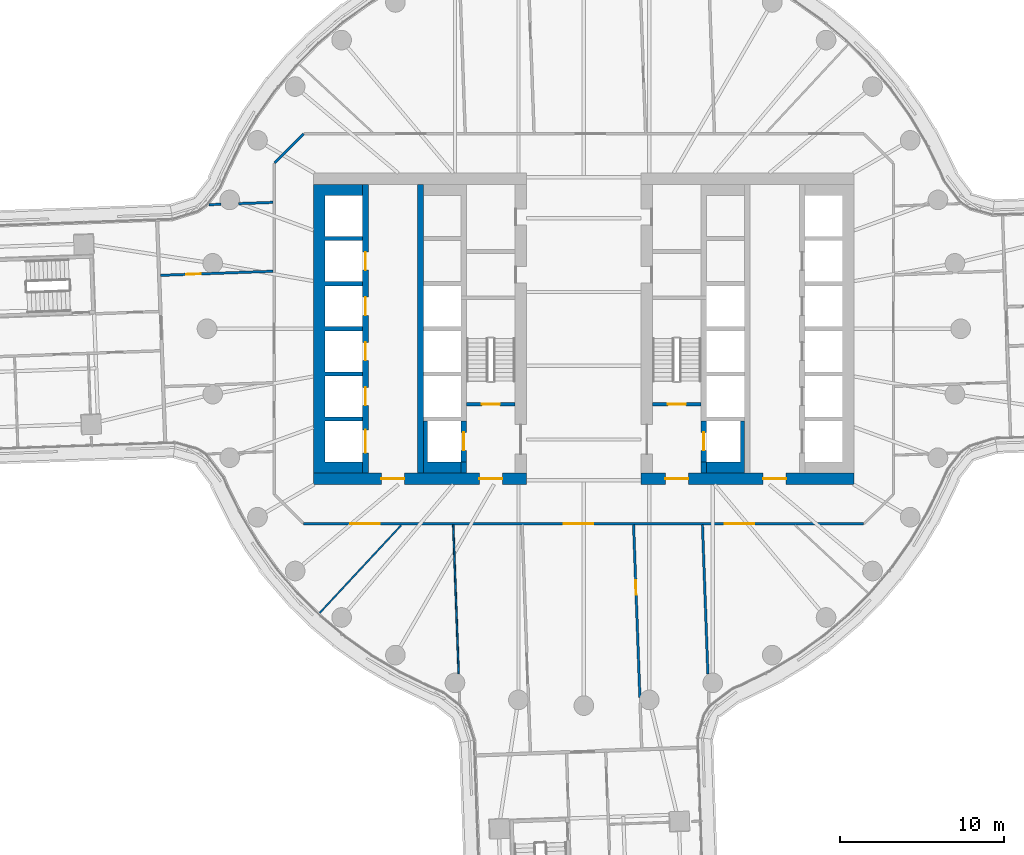
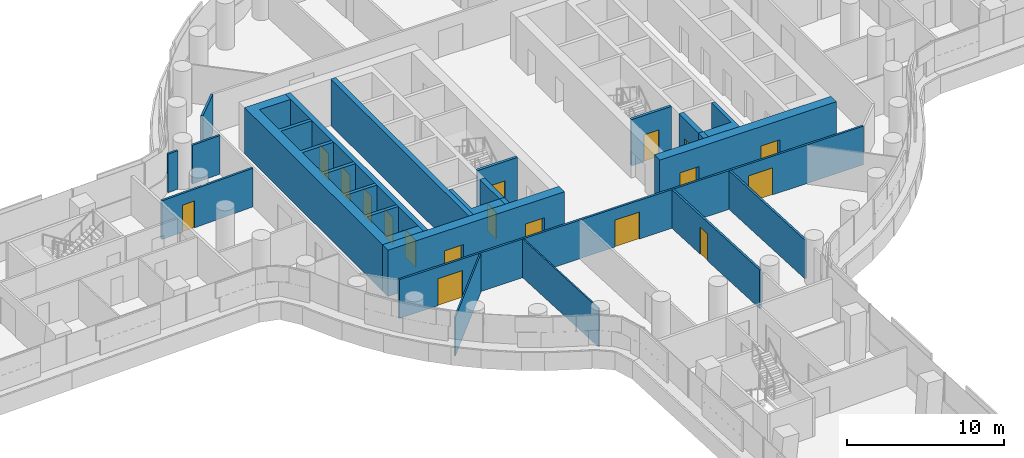
# One storey, part 20 of 31: 22 walls, 18 doors, 18 openings.
"""IFC4 building model written with IfcOpenShell, lengths in metres."""

from ifc_helpers import new_model, si_unit, direction, frame, frame_2d, origin, place, context, subcontext, project, spatial, polyline, rectangle, outline, extrude, material, layer, layer_set, type_object, element, fill, save


model = new_model("IFC4")

# Units and contexts
model_context = context("Model", 3, precision=1e-05, world=origin(), true_north=direction((0.0, 1.0)))
body_context = subcontext(model_context, "Body", "Model", "MODEL_VIEW")
ifc_project = project(units=[si_unit("LENGTHUNIT", "METRE"), si_unit("AREAUNIT", "SQUARE_METRE"), si_unit("VOLUMEUNIT", "CUBIC_METRE"), si_unit("PLANEANGLEUNIT", "RADIAN"), si_unit("MASSUNIT", "GRAM", prefix="KILO")], contexts=[model_context])

# Site, building, storey
site_placement = place(None, origin())
site = spatial("IfcSite", under=ifc_project, at=site_placement, CompositionType="ELEMENT")
building_placement = place(site_placement, origin())
building = spatial("IfcBuilding", under=site, at=building_placement, Name="Tamarind Cross Interchange Tower", CompositionType="ELEMENT")
storey_placement = place(building_placement, frame((0.0, 0.0, 41.5)))
storey = spatial("IfcBuildingStorey", under=building, at=storey_placement, Name="L08", CompositionType="ELEMENT", Elevation=41.5)

# Wall, openings, doors
ifc_material_1 = material(Name="Concrete C80", Category="concrete")
ifc_layer_1 = layer(ifc_material_1, 0.699951171875)
ifc_layer_set_1 = layer_set([ifc_layer_1], Name="Concrete C80")
wall_type_1 = type_object("IfcWallType", Name="Core wall 700 mm Concrete C80", PredefinedType="SHEAR", material=ifc_layer_set_1)
wall_1_placement = place(storey_placement, frame((-16.5, -9.14990234375, 0.0), z_axis=(0.0, 0.0, 1.0), x_axis=(1.0, 0.0, 0.0)))
wall_1 = element("IfcWall", 1, at=wall_1_placement, inside=storey, type_object=wall_type_1, Name="Core wall CWL-L08-W-S", PredefinedType="SHEAR", context=body_context, shape_type="SweptSolid", body=[
    extrude(rectangle(XDim=13.0, YDim=0.699951171875, at=frame_2d((6.5, 0.0))), origin(), (0.0, 0.0, 1.0), 3.610107421875),
])
opening_1_placement = place(wall_1_placement, frame((4.14990234375, 0.0, 0.0)))
opening_1 = element("IfcOpeningElement", 2, at=opening_1_placement, cuts=wall_1, Name="Opening DCW1", PredefinedType="OPENING", context=body_context, shape_type="SweptSolid", body=[
    extrude(rectangle(XDim=1.39990234375, YDim=2.10009765625, at=frame_2d((0.699951171875, 1.050048828125))), frame((0.0, 0.35986328125, 0.0), z_axis=(0.0, -1.0, 0.0), x_axis=(1.0, 0.0, 0.0)), (0.0, 0.0, 1.0), 0.719970703125),
])
opening_2_placement = place(wall_1_placement, frame((10.125, 0.0, 0.0)))
opening_2 = element("IfcOpeningElement", 3, at=opening_2_placement, cuts=wall_1, Name="Opening DCWF", PredefinedType="OPENING", context=body_context, shape_type="SweptSolid", body=[
    extrude(rectangle(XDim=1.39990234375, YDim=2.10009765625, at=frame_2d((0.699951171875, 1.050048828125))), frame((0.0, 0.35986328125, 0.0), z_axis=(0.0, -1.0, 0.0), x_axis=(1.0, 0.0, 0.0)), (0.0, 0.0, 1.0), 0.719970703125),
])
ifc_material_2 = material(Name="Steel, fire-resisting", Category="steel")
door_type_1 = type_object("IfcDoorType", Name="Core fire door 1400 x 2100 FD90", OperationType="SINGLE_SWING_LEFT", PredefinedType="DOOR", material=ifc_material_2)
door_1_placement = place(opening_1_placement, origin())
door_1 = element("IfcDoor", 4, at=door_1_placement, inside=storey, type_object=door_type_1, Name="L08 lift lobby door", OperationType="SINGLE_SWING_LEFT", OverallHeight=2.10009765625, OverallWidth=1.39990234375, PredefinedType="DOOR", context=body_context, shape_type="SweptSolid", body=[
    extrude(rectangle(XDim=1.39990234375, YDim=2.10009765625, at=frame_2d((0.699951171875, 1.050048828125))), frame((0.0, 0.02490234375, 0.0), z_axis=(0.0, -1.0, 0.0), x_axis=(1.0, 0.0, 0.0)), (0.0, 0.0, 1.0), 0.050048828125),
])
fill(opening_1, door_1)
door_2_placement = place(opening_2_placement, origin())
door_2 = element("IfcDoor", 5, at=door_2_placement, inside=storey, type_object=door_type_1, Name="L08 firefighting lobby end door", OperationType="SINGLE_SWING_LEFT", OverallHeight=2.10009765625, OverallWidth=1.39990234375, PredefinedType="DOOR", context=body_context, shape_type="SweptSolid", body=[
    extrude(rectangle(XDim=1.39990234375, YDim=2.10009765625, at=frame_2d((0.699951171875, 1.050048828125))), frame((0.0, 0.02490234375, 0.0), z_axis=(0.0, -1.0, 0.0), x_axis=(1.0, 0.0, 0.0)), (0.0, 0.0, 1.0), 0.050048828125),
])
fill(opening_2, door_2)

# Wall
wall_2_placement = place(storey_placement, origin())
element("IfcWall", 6, at=wall_2_placement, inside=storey, type_object=wall_type_1, Name="Core wall CWL-L08-W-A", PredefinedType="SHEAR", context=body_context, shape_type="SweptSolid", body=[
    extrude(outline(polyline([(-13.5, -8.800048828125), (-13.5, -8.125), (-15.800048828125, -8.125), (-15.800048828125, -5.625), (-13.5, -5.625), (-13.5, -5.375), (-15.800048828125, -5.375), (-15.800048828125, -2.875), (-13.5, -2.875), (-13.5, -2.625), (-15.800048828125, -2.625), (-15.800048828125, -0.125), (-13.5, -0.125), (-13.5, 0.125), (-15.800048828125, 0.125), (-15.800048828125, 2.625), (-13.5, 2.625), (-13.5, 2.875), (-15.800048828125, 2.875), (-15.800048828125, 5.375), (-13.5, 5.375), (-13.5, 5.625), (-15.800048828125, 5.625), (-15.800048828125, 8.125), (-13.5, 8.125), (-13.5, 8.800048828125), (-15.800048828125, 8.800048828125), (-16.5, 8.800048828125), (-16.5, -8.800048828125), (-15.800048828125, -8.800048828125), (-13.5, -8.800048828125)])), origin(), (0.0, 0.0, 1.0), 3.610107421875),
])

# Wall, openings, doors
wall_3_placement = place(storey_placement, frame((16.5, -9.14990234375, 0.0), z_axis=(0.0, 0.0, 1.0), x_axis=(-1.0, 0.0, 0.0)))
wall_3 = element("IfcWall", 7, at=wall_3_placement, inside=storey, type_object=wall_type_1, Name="Core wall CWL-L08-E-S", PredefinedType="SHEAR", context=body_context, shape_type="SweptSolid", body=[
    extrude(rectangle(XDim=13.0, YDim=0.699951171875, at=frame_2d((6.5, 0.0))), origin(), (0.0, 0.0, 1.0), 3.610107421875),
])
opening_3_placement = place(wall_3_placement, frame((4.14990234375, 0.0, 0.0)))
opening_3 = element("IfcOpeningElement", 8, at=opening_3_placement, cuts=wall_3, Name="Opening DCE1", PredefinedType="OPENING", context=body_context, shape_type="SweptSolid", body=[
    extrude(rectangle(XDim=1.39990234375, YDim=2.10009765625, at=frame_2d((0.699951171875, 1.050048828125))), frame((0.0, 0.35986328125, 0.0), z_axis=(0.0, -1.0, 0.0), x_axis=(1.0, 0.0, 0.0)), (0.0, 0.0, 1.0), 0.719970703125),
])
opening_4_placement = place(wall_3_placement, frame((10.125, 0.0, 0.0)))
opening_4 = element("IfcOpeningElement", 9, at=opening_4_placement, cuts=wall_3, Name="Opening DCEF", PredefinedType="OPENING", context=body_context, shape_type="SweptSolid", body=[
    extrude(rectangle(XDim=1.39990234375, YDim=2.10009765625, at=frame_2d((0.699951171875, 1.050048828125))), frame((0.0, 0.35986328125, 0.0), z_axis=(0.0, -1.0, 0.0), x_axis=(1.0, 0.0, 0.0)), (0.0, 0.0, 1.0), 0.719970703125),
])
door_3_placement = place(opening_3_placement, origin())
door_3 = element("IfcDoor", 10, at=door_3_placement, inside=storey, type_object=door_type_1, Name="L08 lift lobby door", OperationType="SINGLE_SWING_LEFT", OverallHeight=2.10009765625, OverallWidth=1.39990234375, PredefinedType="DOOR", context=body_context, shape_type="SweptSolid", body=[
    extrude(rectangle(XDim=1.39990234375, YDim=2.10009765625, at=frame_2d((0.699951171875, 1.050048828125))), frame((0.0, 0.02490234375, 0.0), z_axis=(0.0, -1.0, 0.0), x_axis=(1.0, 0.0, 0.0)), (0.0, 0.0, 1.0), 0.050048828125),
])
fill(opening_3, door_3)
door_4_placement = place(opening_4_placement, origin())
door_4 = element("IfcDoor", 11, at=door_4_placement, inside=storey, type_object=door_type_1, Name="L08 firefighting lobby end door", OperationType="SINGLE_SWING_LEFT", OverallHeight=2.10009765625, OverallWidth=1.39990234375, PredefinedType="DOOR", context=body_context, shape_type="SweptSolid", body=[
    extrude(rectangle(XDim=1.39990234375, YDim=2.10009765625, at=frame_2d((0.699951171875, 1.050048828125))), frame((0.0, 0.02490234375, 0.0), z_axis=(0.0, -1.0, 0.0), x_axis=(1.0, 0.0, 0.0)), (0.0, 0.0, 1.0), 0.050048828125),
])
fill(opening_4, door_4)

# Walls
ifc_layer_2 = layer(ifc_material_1, 0.35009765625)
ifc_layer_set_2 = layer_set([ifc_layer_2], Name="Concrete C80")
wall_type_2 = type_object("IfcWallType", Name="Core web wall 350 mm Concrete C80", PredefinedType="SHEAR", material=ifc_layer_set_2)
wall_4_placement = place(storey_placement, origin())
element("IfcWall", 12, at=wall_4_placement, inside=storey, type_object=wall_type_2, Name="Core wall CWL-L08-W-BS", PredefinedType="SHEAR", context=body_context, shape_type="SweptSolid", body=[
    extrude(outline(polyline([(-7.5, -8.125), (-9.550048828125, -8.125), (-9.550048828125, -5.625), (-9.800048828125, -5.625), (-9.800048828125, -8.125), (-9.800048828125, -8.800048828125), (-7.5, -8.800048828125), (-7.5, -8.125)])), origin(), (0.0, 0.0, 1.0), 3.610107421875),
])
wall_5_placement = place(storey_placement, frame((-7.324951171875, -8.800048828125, 0.0), z_axis=(0.0, 0.0, 1.0), x_axis=(0.0, 1.0, 0.0)))
element("IfcWall", 13, at=wall_5_placement, inside=storey, type_object=wall_type_2, Name="Core wall CWL-L08-W-BW", PredefinedType="SHEAR", context=body_context, shape_type="SweptSolid", body=[
    extrude(rectangle(XDim=0.675048828125, YDim=0.35009765625, at=frame_2d((0.33740234375, 0.0))), origin(), (0.0, 0.0, 1.0), 3.610107421875),
])

# Wall, openings, doors
wall_6_placement = place(storey_placement, frame((-13.324951171875, -8.800048828125, 0.0), z_axis=(0.0, 0.0, 1.0), x_axis=(0.0, 1.0, 0.0)))
wall_6 = element("IfcWall", 14, at=wall_6_placement, inside=storey, type_object=wall_type_2, Name="Core wall CWL-L08-W-LA", PredefinedType="SHEAR", context=body_context, shape_type="SweptSolid", body=[
    extrude(rectangle(XDim=17.60009765625, YDim=0.35009765625, at=frame_2d((8.800048828125, 0.0))), origin(), (0.0, 0.0, 1.0), 3.610107421875),
])
opening_5_placement = place(wall_6_placement, frame((1.22509765625, 0.0, 0.0)))
opening_5 = element("IfcOpeningElement", 15, at=opening_5_placement, cuts=wall_6, Name="Opening LD1L08", PredefinedType="OPENING", context=body_context, shape_type="SweptSolid", body=[
    extrude(rectangle(XDim=1.39990234375, YDim=2.10009765625, at=frame_2d((0.699951171875, 1.050048828125))), frame((0.0, 0.18505859375, 0.0), z_axis=(0.0, -1.0, 0.0), x_axis=(1.0, 0.0, 0.0)), (0.0, 0.0, 1.0), 0.3701171875),
])
opening_6_placement = place(wall_6_placement, frame((4.125, 0.0, 0.0)))
opening_6 = element("IfcOpeningElement", 16, at=opening_6_placement, cuts=wall_6, Name="Opening LD2L08", PredefinedType="OPENING", context=body_context, shape_type="SweptSolid", body=[
    extrude(rectangle(XDim=1.10009765625, YDim=2.10009765625, at=frame_2d((0.550048828125, 1.050048828125))), frame((0.0, 0.18505859375, 0.0), z_axis=(0.0, -1.0, 0.0), x_axis=(1.0, 0.0, 0.0)), (0.0, 0.0, 1.0), 0.3701171875),
])
opening_7_placement = place(wall_6_placement, frame((6.875, 0.0, 0.0)))
opening_7 = element("IfcOpeningElement", 17, at=opening_7_placement, cuts=wall_6, Name="Opening LD3L08", PredefinedType="OPENING", context=body_context, shape_type="SweptSolid", body=[
    extrude(rectangle(XDim=1.10009765625, YDim=2.10009765625, at=frame_2d((0.550048828125, 1.050048828125))), frame((0.0, 0.18505859375, 0.0), z_axis=(0.0, -1.0, 0.0), x_axis=(1.0, 0.0, 0.0)), (0.0, 0.0, 1.0), 0.3701171875),
])
opening_8_placement = place(wall_6_placement, frame((9.625, 0.0, 0.0)))
opening_8 = element("IfcOpeningElement", 18, at=opening_8_placement, cuts=wall_6, Name="Opening LD4L08", PredefinedType="OPENING", context=body_context, shape_type="SweptSolid", body=[
    extrude(rectangle(XDim=1.10009765625, YDim=2.10009765625, at=frame_2d((0.550048828125, 1.050048828125))), frame((0.0, 0.18505859375, 0.0), z_axis=(0.0, -1.0, 0.0), x_axis=(1.0, 0.0, 0.0)), (0.0, 0.0, 1.0), 0.3701171875),
])
opening_9_placement = place(wall_6_placement, frame((12.375, 0.0, 0.0)))
opening_9 = element("IfcOpeningElement", 19, at=opening_9_placement, cuts=wall_6, Name="Opening LD5L08", PredefinedType="OPENING", context=body_context, shape_type="SweptSolid", body=[
    extrude(rectangle(XDim=1.10009765625, YDim=2.10009765625, at=frame_2d((0.550048828125, 1.050048828125))), frame((0.0, 0.18505859375, 0.0), z_axis=(0.0, -1.0, 0.0), x_axis=(1.0, 0.0, 0.0)), (0.0, 0.0, 1.0), 0.3701171875),
])
ifc_material_3 = material(Name="Stainless steel panel", Category="steel")
door_type_2 = type_object("IfcDoorType", Name="Lift landing door 1100 x 2100 E 120", OperationType="SLIDING_TO_LEFT", PredefinedType="DOOR", material=ifc_material_3)
door_5_placement = place(opening_6_placement, origin())
door_5 = element("IfcDoor", 20, at=door_5_placement, inside=storey, type_object=door_type_2, Name="L08 landing door LF2", OperationType="SLIDING_TO_LEFT", OverallHeight=2.10009765625, OverallWidth=1.10009765625, PredefinedType="DOOR", context=body_context, shape_type="SweptSolid", body=[
    extrude(rectangle(XDim=1.10009765625, YDim=2.10009765625, at=frame_2d((0.550048828125, 1.050048828125))), frame((0.0, 0.02490234375, 0.0), z_axis=(0.0, -1.0, 0.0), x_axis=(1.0, 0.0, 0.0)), (0.0, 0.0, 1.0), 0.050048828125),
])
fill(opening_6, door_5)
door_6_placement = place(opening_7_placement, origin())
door_6 = element("IfcDoor", 21, at=door_6_placement, inside=storey, type_object=door_type_2, Name="L08 landing door LF3", OperationType="SLIDING_TO_LEFT", OverallHeight=2.10009765625, OverallWidth=1.10009765625, PredefinedType="DOOR", context=body_context, shape_type="SweptSolid", body=[
    extrude(rectangle(XDim=1.10009765625, YDim=2.10009765625, at=frame_2d((0.550048828125, 1.050048828125))), frame((0.0, 0.02490234375, 0.0), z_axis=(0.0, -1.0, 0.0), x_axis=(1.0, 0.0, 0.0)), (0.0, 0.0, 1.0), 0.050048828125),
])
fill(opening_7, door_6)
door_7_placement = place(opening_8_placement, origin())
door_7 = element("IfcDoor", 22, at=door_7_placement, inside=storey, type_object=door_type_2, Name="L08 landing door LF4", OperationType="SLIDING_TO_LEFT", OverallHeight=2.10009765625, OverallWidth=1.10009765625, PredefinedType="DOOR", context=body_context, shape_type="SweptSolid", body=[
    extrude(rectangle(XDim=1.10009765625, YDim=2.10009765625, at=frame_2d((0.550048828125, 1.050048828125))), frame((0.0, 0.02490234375, 0.0), z_axis=(0.0, -1.0, 0.0), x_axis=(1.0, 0.0, 0.0)), (0.0, 0.0, 1.0), 0.050048828125),
])
fill(opening_8, door_7)
door_8_placement = place(opening_9_placement, origin())
door_8 = element("IfcDoor", 23, at=door_8_placement, inside=storey, type_object=door_type_2, Name="L08 landing door LF5", OperationType="SLIDING_TO_LEFT", OverallHeight=2.10009765625, OverallWidth=1.10009765625, PredefinedType="DOOR", context=body_context, shape_type="SweptSolid", body=[
    extrude(rectangle(XDim=1.10009765625, YDim=2.10009765625, at=frame_2d((0.550048828125, 1.050048828125))), frame((0.0, 0.02490234375, 0.0), z_axis=(0.0, -1.0, 0.0), x_axis=(1.0, 0.0, 0.0)), (0.0, 0.0, 1.0), 0.050048828125),
])
fill(opening_9, door_8)
door_type_3 = type_object("IfcDoorType", Name="Lift landing door 1400 x 2100 E 120", OperationType="SLIDING_TO_LEFT", PredefinedType="DOOR", material=ifc_material_3)
door_9_placement = place(opening_5_placement, origin())
door_9 = element("IfcDoor", 24, at=door_9_placement, inside=storey, type_object=door_type_3, Name="L08 landing door LF1", OperationType="SLIDING_TO_LEFT", OverallHeight=2.10009765625, OverallWidth=1.39990234375, PredefinedType="DOOR", context=body_context, shape_type="SweptSolid", body=[
    extrude(rectangle(XDim=1.39990234375, YDim=2.10009765625, at=frame_2d((0.699951171875, 1.050048828125))), frame((0.0, 0.02490234375, 0.0), z_axis=(0.0, -1.0, 0.0), x_axis=(1.0, 0.0, 0.0)), (0.0, 0.0, 1.0), 0.050048828125),
])
fill(opening_5, door_9)

# Wall
wall_7_placement = place(storey_placement, frame((-9.97509765625, -8.800048828125, 0.0), z_axis=(0.0, 0.0, 1.0), x_axis=(0.0, 1.0, 0.0)))
element("IfcWall", 25, at=wall_7_placement, inside=storey, type_object=wall_type_2, Name="Core wall CWL-L08-W-LB", PredefinedType="SHEAR", context=body_context, shape_type="SweptSolid", body=[
    extrude(rectangle(XDim=17.60009765625, YDim=0.35009765625, at=frame_2d((8.800048828125, 0.0))), origin(), (0.0, 0.0, 1.0), 3.610107421875),
])

# Wall, opening, door
wall_8_placement = place(storey_placement, frame((-7.324951171875, -8.125, 0.0), z_axis=(0.0, 0.0, 1.0), x_axis=(0.0, 1.0, 0.0)))
wall_8 = element("IfcWall", 26, at=wall_8_placement, inside=storey, type_object=wall_type_2, Name="Core wall CWL-L08-W-FF", PredefinedType="SHEAR", context=body_context, shape_type="SweptSolid", body=[
    extrude(rectangle(XDim=2.5, YDim=0.35009765625, at=frame_2d((1.25, 0.0))), origin(), (0.0, 0.0, 1.0), 3.610107421875),
])
opening_10_placement = place(wall_8_placement, frame((0.699951171875, 0.0, 0.0)))
opening_10 = element("IfcOpeningElement", 27, at=opening_10_placement, cuts=wall_8, Name="Opening LD7L08", PredefinedType="OPENING", context=body_context, shape_type="SweptSolid", body=[
    extrude(rectangle(XDim=1.10009765625, YDim=2.10009765625, at=frame_2d((0.550048828125, 1.050048828125))), frame((0.0, 0.18505859375, 0.0), z_axis=(0.0, -1.0, 0.0), x_axis=(1.0, 0.0, 0.0)), (0.0, 0.0, 1.0), 0.3701171875),
])
door_10_placement = place(opening_10_placement, origin())
door_10 = element("IfcDoor", 28, at=door_10_placement, inside=storey, type_object=door_type_2, Name="L08 landing door LF7", OperationType="SLIDING_TO_LEFT", OverallHeight=2.10009765625, OverallWidth=1.10009765625, PredefinedType="DOOR", context=body_context, shape_type="SweptSolid", body=[
    extrude(rectangle(XDim=1.10009765625, YDim=2.10009765625, at=frame_2d((0.550048828125, 1.050048828125))), frame((0.0, 0.02490234375, 0.0), z_axis=(0.0, -1.0, 0.0), x_axis=(1.0, 0.0, 0.0)), (0.0, 0.0, 1.0), 0.050048828125),
])
fill(opening_10, door_10)

# Walls
wall_9_placement = place(storey_placement, origin())
element("IfcWall", 29, at=wall_9_placement, inside=storey, type_object=wall_type_2, Name="Core wall CWL-L08-E-BS", PredefinedType="SHEAR", context=body_context, shape_type="SweptSolid", body=[
    extrude(outline(polyline([(7.5, -8.125), (7.5, -8.800048828125), (9.800048828125, -8.800048828125), (9.800048828125, -8.125), (9.800048828125, -5.625), (9.550048828125, -5.625), (9.550048828125, -8.125), (7.5, -8.125)])), origin(), (0.0, 0.0, 1.0), 3.610107421875),
])
wall_10_placement = place(storey_placement, frame((7.324951171875, -8.800048828125, 0.0), z_axis=(0.0, 0.0, 1.0), x_axis=(0.0, 1.0, 0.0)))
element("IfcWall", 30, at=wall_10_placement, inside=storey, type_object=wall_type_2, Name="Core wall CWL-L08-E-BW", PredefinedType="SHEAR", context=body_context, shape_type="SweptSolid", body=[
    extrude(rectangle(XDim=0.675048828125, YDim=0.35009765625, at=frame_2d((0.33740234375, 0.0))), origin(), (0.0, 0.0, 1.0), 3.610107421875),
])

# Wall, opening, door
wall_11_placement = place(storey_placement, frame((7.324951171875, -8.125, 0.0), z_axis=(0.0, 0.0, 1.0), x_axis=(0.0, 1.0, 0.0)))
wall_11 = element("IfcWall", 31, at=wall_11_placement, inside=storey, type_object=wall_type_2, Name="Core wall CWL-L08-E-FF", PredefinedType="SHEAR", context=body_context, shape_type="SweptSolid", body=[
    extrude(rectangle(XDim=2.5, YDim=0.35009765625, at=frame_2d((1.25, 0.0))), origin(), (0.0, 0.0, 1.0), 3.610107421875),
])
opening_11_placement = place(wall_11_placement, frame((0.699951171875, 0.0, 0.0)))
opening_11 = element("IfcOpeningElement", 32, at=opening_11_placement, cuts=wall_11, Name="Opening LD19L08", PredefinedType="OPENING", context=body_context, shape_type="SweptSolid", body=[
    extrude(rectangle(XDim=1.10009765625, YDim=2.10009765625, at=frame_2d((0.550048828125, 1.050048828125))), frame((0.0, 0.18505859375, 0.0), z_axis=(0.0, -1.0, 0.0), x_axis=(1.0, 0.0, 0.0)), (0.0, 0.0, 1.0), 0.3701171875),
])
door_11_placement = place(opening_11_placement, origin())
door_11 = element("IfcDoor", 33, at=door_11_placement, inside=storey, type_object=door_type_2, Name="L08 landing door LF19", OperationType="SLIDING_TO_LEFT", OverallHeight=2.10009765625, OverallWidth=1.10009765625, PredefinedType="DOOR", context=body_context, shape_type="SweptSolid", body=[
    extrude(rectangle(XDim=1.10009765625, YDim=2.10009765625, at=frame_2d((0.550048828125, 1.050048828125))), frame((0.0, 0.02490234375, 0.0), z_axis=(0.0, -1.0, 0.0), x_axis=(1.0, 0.0, 0.0)), (0.0, 0.0, 1.0), 0.050048828125),
])
fill(opening_11, door_11)

# Walls
ifc_material_4 = material(Name="Gypsum board partition on steel studs", Category="steel")
ifc_layer_3 = layer(ifc_material_4, 0.10009765625)
ifc_layer_set_3 = layer_set([ifc_layer_3], Name="Gypsum board partition on steel studs")
wall_type_3 = type_object("IfcWallType", Name="Partition 100 mm EI 90", PredefinedType="PARTITIONING", material=ifc_layer_set_3)
wall_12_placement = place(storey_placement, frame((-7.9716796875, -11.9599609375, 0.0), z_axis=(0.0, 0.0, 1.0), x_axis=(0.036474412647, -0.999334587224, 0.0)))
element("IfcWall", 34, at=wall_12_placement, inside=storey, type_object=wall_type_3, Name="Partition L08-010", PredefinedType="PARTITIONING", context=body_context, shape_type="SweptSolid", body=[
    extrude(rectangle(XDim=9.10986328125, YDim=0.10009765625, at=frame_2d((4.554931640625, 0.0))), origin(), (0.0, 0.0, 1.0), 3.010009765625),
])
wall_13_placement = place(storey_placement, frame((-16.12744140625, -17.348388671875, 0.0), z_axis=(0.0, 0.0, 1.0), x_axis=(0.680886270417, 0.732389163463, 0.0)))
element("IfcWall", 35, at=wall_13_placement, inside=storey, type_object=wall_type_3, Name="Partition L08-075", PredefinedType="PARTITIONING", context=body_context, shape_type="SweptSolid", body=[
    extrude(rectangle(XDim=7.314208984375, YDim=0.10009765625, at=frame_2d((3.6572265625, 0.0))), origin(), (0.0, 0.0, 1.0), 3.010009765625),
])

# Wall, opening, door
ifc_layer_4 = layer(ifc_material_4, 0.14990234375)
ifc_layer_set_4 = layer_set([ifc_layer_4], Name="Gypsum board partition on steel studs")
wall_type_4 = type_object("IfcWallType", Name="Partition 150 mm EI 120", PredefinedType="PARTITIONING", material=ifc_layer_set_4)
wall_14_placement = place(storey_placement, frame((3.0361328125, -11.9599609375, 0.0), z_axis=(0.0, 0.0, 1.0), x_axis=(0.036436171383, -0.999335982248, 0.0)))
wall_14 = element("IfcWall", 36, at=wall_14_placement, inside=storey, type_object=wall_type_4, Name="Partition L08-021", PredefinedType="PARTITIONING", context=body_context, shape_type="SweptSolid", body=[
    extrude(rectangle(XDim=10.56005859375, YDim=0.14990234375, at=frame_2d((5.280029296875, 0.0))), origin(), (0.0, 0.0, 1.0), 3.010009765625),
])
opening_12_placement = place(wall_14_placement, frame((3.389892578125, 0.0, 0.0)))
opening_12 = element("IfcOpeningElement", 37, at=opening_12_placement, cuts=wall_14, Name="Opening D12", PredefinedType="OPENING", context=body_context, shape_type="SweptSolid", body=[
    extrude(rectangle(XDim=0.89990234375, YDim=2.10009765625, at=frame_2d((0.449951171875, 1.050048828125))), frame((0.0, 0.0849609375, 0.0), z_axis=(0.0, -1.0, 0.0), x_axis=(1.0, 0.0, 0.0)), (0.0, 0.0, 1.0), 0.169921875),
])
ifc_material_5 = material(Name="Fire-resisting door set")
door_type_4 = type_object("IfcDoorType", Name="Interior door 900 x 2100 FD60S", OperationType="SINGLE_SWING_LEFT", PredefinedType="DOOR", material=ifc_material_5)
door_12_placement = place(opening_12_placement, origin())
door_12 = element("IfcDoor", 38, at=door_12_placement, inside=storey, type_object=door_type_4, Name="Door D12", OperationType="SINGLE_SWING_RIGHT", OverallHeight=2.10009765625, OverallWidth=0.89990234375, PredefinedType="DOOR", context=body_context, shape_type="SweptSolid", body=[
    extrude(rectangle(XDim=0.89990234375, YDim=2.10009765625, at=frame_2d((0.449951171875, 1.050048828125))), frame((0.0, 0.02490234375, 0.0), z_axis=(0.0, -1.0, 0.0), x_axis=(1.0, 0.0, 0.0)), (0.0, 0.0, 1.0), 0.050048828125),
])
fill(opening_12, door_12)

# Wall
wall_15_placement = place(storey_placement, frame((7.2392578125, -11.9599609375, 0.0), z_axis=(0.0, 0.0, 1.0), x_axis=(0.036428979603, -0.999336244437, 0.0)))
element("IfcWall", 39, at=wall_15_placement, inside=storey, type_object=wall_type_4, Name="Partition L08-026", PredefinedType="PARTITIONING", context=body_context, shape_type="SweptSolid", body=[
    extrude(rectangle(XDim=9.1279296875, YDim=0.14990234375, at=frame_2d((4.56396484375, 0.0))), origin(), (0.0, 0.0, 1.0), 3.010009765625),
])

# Wall, openings, doors
wall_16_placement = place(storey_placement, frame((-17.10009765625, -11.89990234375, 0.0), z_axis=(0.0, 0.0, 1.0), x_axis=(1.0, 0.0, 0.0)))
wall_16 = element("IfcWall", 40, at=wall_16_placement, inside=storey, type_object=wall_type_4, Name="Partition L08-040", PredefinedType="PARTITIONING", context=body_context, shape_type="SweptSolid", body=[
    extrude(rectangle(XDim=34.1650390625, YDim=0.14990234375, at=frame_2d((17.08251953125, 0.0))), origin(), (0.0, 0.0, 1.0), 3.010009765625),
])
opening_13_placement = place(wall_16_placement, frame((15.87890625, 0.0, 0.0)))
opening_13 = element("IfcOpeningElement", 41, at=opening_13_placement, cuts=wall_16, Name="Opening D16", PredefinedType="OPENING", context=body_context, shape_type="SweptSolid", body=[
    extrude(rectangle(XDim=1.800048828125, YDim=2.10009765625, at=frame_2d((0.89990234375, 1.050048828125))), frame((0.0, 0.0849609375, 0.0), z_axis=(0.0, -1.0, 0.0), x_axis=(1.0, 0.0, 0.0)), (0.0, 0.0, 1.0), 0.169921875),
])
opening_14_placement = place(wall_16_placement, frame((2.85009765625, 0.0, 0.0)))
opening_14 = element("IfcOpeningElement", 42, at=opening_14_placement, cuts=wall_16, Name="Opening D17", PredefinedType="OPENING", context=body_context, shape_type="SweptSolid", body=[
    extrude(rectangle(XDim=1.800048828125, YDim=2.10009765625, at=frame_2d((0.89990234375, 1.050048828125))), frame((0.0, 0.0849609375, 0.0), z_axis=(0.0, -1.0, 0.0), x_axis=(1.0, 0.0, 0.0)), (0.0, 0.0, 1.0), 0.169921875),
])
opening_15_placement = place(wall_16_placement, frame((25.68701171875, 0.0, 0.0)))
opening_15 = element("IfcOpeningElement", 43, at=opening_15_placement, cuts=wall_16, Name="Opening D18", PredefinedType="OPENING", context=body_context, shape_type="SweptSolid", body=[
    extrude(rectangle(XDim=1.800048828125, YDim=2.10009765625, at=frame_2d((0.89990234375, 1.050048828125))), frame((0.0, 0.0849609375, 0.0), z_axis=(0.0, -1.0, 0.0), x_axis=(1.0, 0.0, 0.0)), (0.0, 0.0, 1.0), 0.169921875),
])
door_type_5 = type_object("IfcDoorType", Name="Interior door 1800 x 2100 FD60S", OperationType="DOUBLE_DOOR_SINGLE_SWING", PredefinedType="DOOR", material=ifc_material_5)
door_13_placement = place(opening_13_placement, origin())
door_13 = element("IfcDoor", 44, at=door_13_placement, inside=storey, type_object=door_type_5, Name="Door D16", OperationType="DOUBLE_DOOR_SINGLE_SWING", OverallHeight=2.10009765625, OverallWidth=1.800048828125, PredefinedType="DOOR", context=body_context, shape_type="SweptSolid", body=[
    extrude(rectangle(XDim=1.800048828125, YDim=2.10009765625, at=frame_2d((0.89990234375, 1.050048828125))), frame((0.0, 0.02490234375, 0.0), z_axis=(0.0, -1.0, 0.0), x_axis=(1.0, 0.0, 0.0)), (0.0, 0.0, 1.0), 0.050048828125),
])
fill(opening_13, door_13)
door_14_placement = place(opening_14_placement, frame((1.800048828125, 0.0, 0.0), z_axis=(0.0, 0.0, 1.0), x_axis=(-1.0, 0.0, 0.0)))
door_14 = element("IfcDoor", 45, at=door_14_placement, inside=storey, type_object=door_type_5, Name="Door D17", OperationType="DOUBLE_DOOR_SINGLE_SWING", OverallHeight=2.10009765625, OverallWidth=1.800048828125, PredefinedType="DOOR", context=body_context, shape_type="SweptSolid", body=[
    extrude(rectangle(XDim=1.800048828125, YDim=2.10009765625, at=frame_2d((0.89990234375, 1.050048828125))), frame((0.0, 0.02490234375, 0.0), z_axis=(0.0, -1.0, 0.0), x_axis=(1.0, 0.0, 0.0)), (0.0, 0.0, 1.0), 0.050048828125),
])
fill(opening_14, door_14)
door_15_placement = place(opening_15_placement, frame((1.800048828125, 0.0, 0.0), z_axis=(0.0, 0.0, 1.0), x_axis=(-1.0, 0.0, 0.0)))
door_15 = element("IfcDoor", 46, at=door_15_placement, inside=storey, type_object=door_type_5, Name="Door D18", OperationType="DOUBLE_DOOR_SINGLE_SWING", OverallHeight=2.10009765625, OverallWidth=1.800048828125, PredefinedType="DOOR", context=body_context, shape_type="SweptSolid", body=[
    extrude(rectangle(XDim=1.800048828125, YDim=2.10009765625, at=frame_2d((0.89990234375, 1.050048828125))), frame((0.0, 0.02490234375, 0.0), z_axis=(0.0, -1.0, 0.0), x_axis=(1.0, 0.0, 0.0)), (0.0, 0.0, 1.0), 0.050048828125),
])
fill(opening_15, door_15)

# Wall, opening, door
wall_17_placement = place(storey_placement, frame((-25.8310546875, 3.26220703125, 0.0), z_axis=(0.0, 0.0, 1.0), x_axis=(0.999336164515, 0.036431172001, 0.0)))
wall_17 = element("IfcWall", 47, at=wall_17_placement, inside=storey, type_object=wall_type_4, Name="Partition L08-045", PredefinedType="PARTITIONING", context=body_context, shape_type="SweptSolid", body=[
    extrude(rectangle(XDim=6.875732421875, YDim=0.14990234375, at=frame_2d((3.43798828125, 0.0))), origin(), (0.0, 0.0, 1.0), 3.010009765625),
])
opening_16_placement = place(wall_17_placement, frame((1.56005859375, 0.0, 0.0)))
opening_16 = element("IfcOpeningElement", 48, at=opening_16_placement, cuts=wall_17, Name="Opening D26", PredefinedType="OPENING", context=body_context, shape_type="SweptSolid", body=[
    extrude(rectangle(XDim=0.89990234375, YDim=2.10009765625, at=frame_2d((0.449951171875, 1.050048828125))), frame((0.0, 0.0849609375, 0.0), z_axis=(0.0, -1.0, 0.0), x_axis=(1.0, 0.0, 0.0)), (0.0, 0.0, 1.0), 0.169921875),
])
door_16_placement = place(opening_16_placement, origin())
door_16 = element("IfcDoor", 49, at=door_16_placement, inside=storey, type_object=door_type_4, Name="Door D26", OperationType="SINGLE_SWING_RIGHT", OverallHeight=2.10009765625, OverallWidth=0.89990234375, PredefinedType="DOOR", context=body_context, shape_type="SweptSolid", body=[
    extrude(rectangle(XDim=0.89990234375, YDim=2.10009765625, at=frame_2d((0.449951171875, 1.050048828125))), frame((0.0, 0.02490234375, 0.0), z_axis=(0.0, -1.0, 0.0), x_axis=(1.0, 0.0, 0.0)), (0.0, 0.0, 1.0), 0.050048828125),
])
fill(opening_16, door_16)

# Walls
wall_18_placement = place(storey_placement, frame((-22.8837890625, 7.572998046875, 0.0), z_axis=(0.0, 0.0, 1.0), x_axis=(0.999340597236, 0.036309375033, 0.0)))
element("IfcWall", 50, at=wall_18_placement, inside=storey, type_object=wall_type_4, Name="Partition L08-050", PredefinedType="PARTITIONING", context=body_context, shape_type="SweptSolid", body=[
    extrude(rectangle(XDim=0.73291015625, YDim=0.14990234375, at=frame_2d((0.366455078125, 0.0))), origin(), (0.0, 0.0, 1.0), 3.010009765625),
])
wall_19_placement = place(storey_placement, frame((-21.063720703125, 7.639404296875, 0.0), z_axis=(0.0, 0.0, 1.0), x_axis=(0.999340952075, 0.03629960752, 0.0)))
element("IfcWall", 51, at=wall_19_placement, inside=storey, type_object=wall_type_4, Name="Partition L08-051", PredefinedType="PARTITIONING", context=body_context, shape_type="SweptSolid", body=[
    extrude(rectangle(XDim=2.105224609375, YDim=0.14990234375, at=frame_2d((1.052734375, 0.0))), origin(), (0.0, 0.0, 1.0), 3.010009765625),
])
wall_20_placement = place(storey_placement, frame((-18.87158203125, 10.12841796875, 0.0), z_axis=(0.0, 0.0, 1.0), x_axis=(0.707106781187, 0.707106781187, 0.0)))
element("IfcWall", 52, at=wall_20_placement, inside=storey, type_object=wall_type_4, Name="Partition L08-073", PredefinedType="PARTITIONING", context=body_context, shape_type="SweptSolid", body=[
    extrude(rectangle(XDim=2.50537109375, YDim=0.14990234375, at=frame_2d((1.252685546875, 0.0))), origin(), (0.0, 0.0, 1.0), 3.010009765625),
])

# Wall, opening, door
ifc_material_6 = material(Name="Concrete C40", Category="concrete")
ifc_layer_5 = layer(ifc_material_6, 0.199951171875)
ifc_layer_set_5 = layer_set([ifc_layer_5], Name="Concrete C40")
wall_type_5 = type_object("IfcWallType", Name="Stair shaft wall 200 mm Concrete C40", PredefinedType="SHEAR", material=ifc_layer_set_5)
wall_21_placement = place(storey_placement, frame((-7.14990234375, -4.60009765625, 0.0), z_axis=(0.0, 0.0, 1.0), x_axis=(1.0, 0.0, 0.0)))
wall_21 = element("IfcWall", 53, at=wall_21_placement, inside=storey, type_object=wall_type_5, Name="Core wall CWL-L08-W-SD", PredefinedType="SHEAR", context=body_context, shape_type="SweptSolid", body=[
    extrude(rectangle(XDim=2.949951171875, YDim=0.199951171875, at=frame_2d((1.47509765625, 0.0))), origin(), (0.0, 0.0, 1.0), 3.610107421875),
])
opening_17_placement = place(wall_21_placement, frame((0.925048828125, 0.0, 0.0)))
opening_17 = element("IfcOpeningElement", 54, at=opening_17_placement, cuts=wall_21, Name="Opening DCW6", PredefinedType="OPENING", context=body_context, shape_type="SweptSolid", body=[
    extrude(rectangle(XDim=1.10009765625, YDim=2.10009765625, at=frame_2d((0.550048828125, 1.050048828125))), frame((0.0, 0.10986328125, 0.0), z_axis=(0.0, -1.0, 0.0), x_axis=(1.0, 0.0, 0.0)), (0.0, 0.0, 1.0), 0.219970703125),
])
door_type_6 = type_object("IfcDoorType", Name="Core fire door 1100 x 2100 FD90", OperationType="SINGLE_SWING_LEFT", PredefinedType="DOOR", material=ifc_material_2)
door_17_placement = place(opening_17_placement, origin())
door_17 = element("IfcDoor", 55, at=door_17_placement, inside=storey, type_object=door_type_6, Name="L08 stair door", OperationType="SINGLE_SWING_LEFT", OverallHeight=2.10009765625, OverallWidth=1.10009765625, PredefinedType="DOOR", context=body_context, shape_type="SweptSolid", body=[
    extrude(rectangle(XDim=1.10009765625, YDim=2.10009765625, at=frame_2d((0.550048828125, 1.050048828125))), frame((0.0, 0.02490234375, 0.0), z_axis=(0.0, -1.0, 0.0), x_axis=(1.0, 0.0, 0.0)), (0.0, 0.0, 1.0), 0.050048828125),
])
fill(opening_17, door_17)

wall_22_placement = place(storey_placement, frame((7.14990234375, -4.60009765625, 0.0), z_axis=(0.0, 0.0, 1.0), x_axis=(-1.0, 0.0, 0.0)))
wall_22 = element("IfcWall", 56, at=wall_22_placement, inside=storey, type_object=wall_type_5, Name="Core wall CWL-L08-E-SD", PredefinedType="SHEAR", context=body_context, shape_type="SweptSolid", body=[
    extrude(rectangle(XDim=2.949951171875, YDim=0.199951171875, at=frame_2d((1.47509765625, 0.0))), origin(), (0.0, 0.0, 1.0), 3.610107421875),
])
opening_18_placement = place(wall_22_placement, frame((0.925048828125, 0.0, 0.0)))
opening_18 = element("IfcOpeningElement", 57, at=opening_18_placement, cuts=wall_22, Name="Opening DCE6", PredefinedType="OPENING", context=body_context, shape_type="SweptSolid", body=[
    extrude(rectangle(XDim=1.10009765625, YDim=2.10009765625, at=frame_2d((0.550048828125, 1.050048828125))), frame((0.0, 0.10986328125, 0.0), z_axis=(0.0, -1.0, 0.0), x_axis=(1.0, 0.0, 0.0)), (0.0, 0.0, 1.0), 0.219970703125),
])
door_18_placement = place(opening_18_placement, origin())
door_18 = element("IfcDoor", 58, at=door_18_placement, inside=storey, type_object=door_type_6, Name="L08 stair door", OperationType="SINGLE_SWING_LEFT", OverallHeight=2.10009765625, OverallWidth=1.10009765625, PredefinedType="DOOR", context=body_context, shape_type="SweptSolid", body=[
    extrude(rectangle(XDim=1.10009765625, YDim=2.10009765625, at=frame_2d((0.550048828125, 1.050048828125))), frame((0.0, 0.02490234375, 0.0), z_axis=(0.0, -1.0, 0.0), x_axis=(1.0, 0.0, 0.0)), (0.0, 0.0, 1.0), 0.050048828125),
])
fill(opening_18, door_18)

save(model, "model.ifc")
